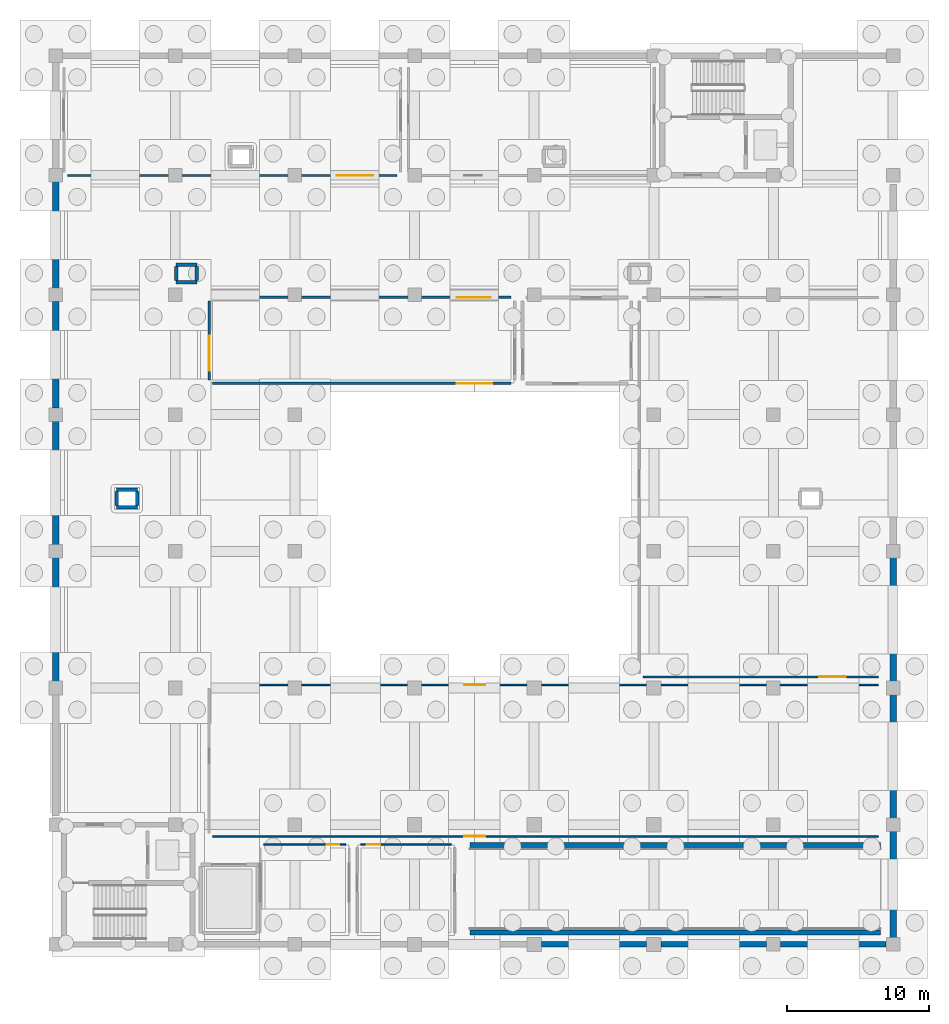
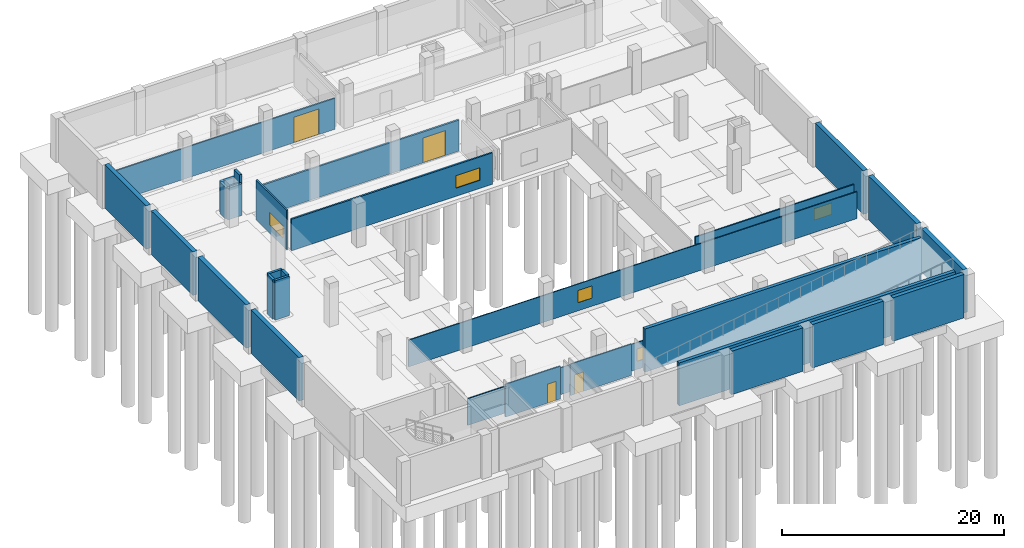
# One storey, part 6 of 12: 29 walls, 5 windows, 4 doors, 9 openings.
"""IFC4 building model written with IfcOpenShell, lengths in metres."""

from ifc_helpers import new_model, si_unit, direction, frame, frame_2d, origin, place, context, subcontext, project, spatial, rectangle, extrude, material, layer, layer_set, type_object, element, fill, save


model = new_model("IFC4")

# Units and contexts
model_context = context("Model", 3, precision=1e-05, world=origin(), true_north=direction((0.0, 1.0)))
body_context = subcontext(model_context, "Body", "Model", "MODEL_VIEW")
ifc_project = project(units=[si_unit("LENGTHUNIT", "METRE"), si_unit("AREAUNIT", "SQUARE_METRE"), si_unit("VOLUMEUNIT", "CUBIC_METRE"), si_unit("PLANEANGLEUNIT", "RADIAN"), si_unit("MASSUNIT", "GRAM", prefix="KILO")], contexts=[model_context])

# Site, building, storey
site_placement = place(None, origin())
site = spatial("IfcSite", under=ifc_project, at=site_placement, CompositionType="ELEMENT")
building_placement = place(site_placement, origin())
building = spatial("IfcBuilding", under=site, at=building_placement, Name="Zulmaris Art Gallery", CompositionType="ELEMENT")
storey_placement = place(building_placement, frame((0.0, 0.0, -4.800048828125)))
storey = spatial("IfcBuildingStorey", under=building, at=storey_placement, Name="B1", CompositionType="ELEMENT", Elevation=-4.800048828125)

# Wall, opening, window
ifc_material_1 = material(Name="Acoustic Office Gypsum Partition", Category="gypsum")
ifc_layer_1 = layer(ifc_material_1, 0.10009765625)
ifc_layer_set_1 = layer_set([ifc_layer_1], Name="Acoustic Office Gypsum Partition")
wall_type_1 = type_object("IfcWallType", Name="IWALL-PW01", PredefinedType="PARTITIONING", material=ifc_layer_set_1)
wall_1_placement = place(storey_placement, frame((152.6298828125, 20.780029296875, 0.0), z_axis=(0.0, 0.0, 1.0), x_axis=(1.0, 0.0, 0.0)))
wall_1 = element("IfcWall", 1, at=wall_1_placement, inside=storey, type_object=wall_type_1, Name="Basement Car Park Circulation & Stalls S partition", PredefinedType="PARTITIONING", context=body_context, shape_type="SweptSolid", body=[
    extrude(rectangle(XDim=46.740234375, YDim=0.10009765625, at=frame_2d((23.3701171875, 0.0))), origin(), (0.0, 0.0, 1.0), 2.9599609375),
])
opening_1_placement = place(wall_1_placement, frame((17.64990234375, 0.0, 0.89990234375)))
opening_1 = element("IfcOpeningElement", 2, at=opening_1_placement, cuts=wall_1, Name="Opening IW01", PredefinedType="OPENING", context=body_context, shape_type="SweptSolid", body=[
    extrude(rectangle(XDim=1.47998046875, YDim=1.35009765625, at=frame_2d((0.739990234375, 0.675048828125))), frame((0.0, 0.06005859375, 0.0), z_axis=(0.0, -1.0, 0.0), x_axis=(1.0, 0.0, 0.0)), (0.0, 0.0, 1.0), 0.1201171875),
])
ifc_material_2 = material(Name="Conservation Studio Viewing Window", Category="glass")
window_type_1 = type_object("IfcWindowType", Name="IWIN-IW01", PartitioningType="SINGLE_PANEL", PredefinedType="WINDOW", material=ifc_material_2)
window_1_placement = place(opening_1_placement, origin())
window_1 = element("IfcWindow", 3, at=window_1_placement, inside=storey, type_object=window_type_1, Name="B1 interior observation window IW01", OverallHeight=1.35009765625, OverallWidth=1.47998046875, PartitioningType="SINGLE_PANEL", PredefinedType="WINDOW", context=body_context, shape_type="SweptSolid", body=[
    extrude(rectangle(XDim=1.47998046875, YDim=1.35009765625, at=frame_2d((0.739990234375, 0.675048828125))), frame((0.0, 0.030029296875, 0.0), z_axis=(0.0, -1.0, 0.0), x_axis=(1.0, 0.0, 0.0)), (0.0, 0.0, 1.0), 0.06005859375),
])
fill(opening_1, window_1)

wall_2_placement = place(storey_placement, frame((152.6298828125, 31.419921875, 0.0), z_axis=(0.0, 0.0, 1.0), x_axis=(1.0, 0.0, 0.0)))
wall_2 = element("IfcWall", 4, at=wall_2_placement, inside=storey, type_object=wall_type_1, Name="Basement Car Park Circulation & Stalls N partition", PredefinedType="PARTITIONING", context=body_context, shape_type="SweptSolid", body=[
    extrude(rectangle(XDim=46.740234375, YDim=0.10009765625, at=frame_2d((23.3701171875, 0.0))), origin(), (0.0, 0.0, 1.0), 2.9599609375),
])
opening_2_placement = place(wall_2_placement, frame((17.64990234375, 0.0, 0.89990234375)))
opening_2 = element("IfcOpeningElement", 5, at=opening_2_placement, cuts=wall_2, Name="Opening IW01", PredefinedType="OPENING", context=body_context, shape_type="SweptSolid", body=[
    extrude(rectangle(XDim=1.47998046875, YDim=1.35009765625, at=frame_2d((0.739990234375, 0.675048828125))), frame((0.0, 0.06005859375, 0.0), z_axis=(0.0, -1.0, 0.0), x_axis=(1.0, 0.0, 0.0)), (0.0, 0.0, 1.0), 0.1201171875),
])
window_2_placement = place(opening_2_placement, origin())
window_2 = element("IfcWindow", 6, at=window_2_placement, inside=storey, type_object=window_type_1, Name="B1 interior observation window IW01", OverallHeight=1.35009765625, OverallWidth=1.47998046875, PartitioningType="SINGLE_PANEL", PredefinedType="WINDOW", context=body_context, shape_type="SweptSolid", body=[
    extrude(rectangle(XDim=1.47998046875, YDim=1.35009765625, at=frame_2d((0.739990234375, 0.675048828125))), frame((0.0, 0.030029296875, 0.0), z_axis=(0.0, -1.0, 0.0), x_axis=(1.0, 0.0, 0.0)), (0.0, 0.0, 1.0), 0.06005859375),
])
fill(opening_2, window_2)

# Wall, opening, door
ifc_material_3 = material(Name="Moisture-Resistant Tile-Backer Wet Wall", Category="gypsum")
ifc_layer_2 = layer(ifc_material_3, 0.114990234375)
ifc_layer_set_2 = layer_set([ifc_layer_2], Name="Moisture-Resistant Tile-Backer Wet Wall")
wall_type_2 = type_object("IfcWallType", Name="IWALL-PW02", PredefinedType="PARTITIONING", material=ifc_layer_set_2)
wall_3_placement = place(storey_placement, frame((156.22998046875, 20.219970703125, 0.0), z_axis=(0.0, 0.0, 1.0), x_axis=(1.0, 0.0, 0.0)))
wall_3 = element("IfcWall", 7, at=wall_3_placement, inside=storey, type_object=wall_type_2, Name="Basement Staff WC N partition", PredefinedType="PARTITIONING", context=body_context, shape_type="SweptSolid", body=[
    extrude(rectangle(XDim=5.739990234375, YDim=0.114990234375, at=frame_2d((2.8701171875, 0.0))), origin(), (0.0, 0.0, 1.0), 3.614990234375),
])
opening_3_placement = place(wall_3_placement, frame((4.39990234375, 0.0, 0.0)))
opening_3 = element("IfcOpeningElement", 8, at=opening_3_placement, cuts=wall_3, Name="Opening D01", PredefinedType="OPENING", context=body_context, shape_type="SweptSolid", body=[
    extrude(rectangle(XDim=0.89990234375, YDim=2.10009765625, at=frame_2d((0.449951171875, 1.050048828125))), frame((0.0, 0.0673828125, 0.0), z_axis=(0.0, -1.0, 0.0), x_axis=(1.0, 0.0, 0.0)), (0.0, 0.0, 1.0), 0.135009765625),
])
ifc_material_4 = material(Name="Moisture-Resistant WC Door", Category="timber")
door_type_1 = type_object("IfcDoorType", Name="IDOOR-D01", OperationType="NOTDEFINED", PredefinedType="DOOR", material=ifc_material_4)
door_1_placement = place(opening_3_placement, origin())
door_1 = element("IfcDoor", 9, at=door_1_placement, inside=storey, type_object=door_type_1, Name="Basement Staff WC Door", OperationType="SINGLE_SWING_LEFT", OverallHeight=2.10009765625, OverallWidth=0.89990234375, PredefinedType="DOOR", context=body_context, shape_type="SweptSolid", body=[
    extrude(rectangle(XDim=0.89990234375, YDim=2.10009765625, at=frame_2d((0.449951171875, 1.050048828125))), frame((0.0, 0.02490234375, 0.0), z_axis=(0.0, -1.0, 0.0), x_axis=(1.0, 0.0, 0.0)), (0.0, 0.0, 1.0), 0.050048828125),
])
fill(opening_3, door_1)

wall_4_placement = place(storey_placement, frame((163.030029296875, 20.219970703125, 0.0), z_axis=(0.0, 0.0, 1.0), x_axis=(1.0, 0.0, 0.0)))
wall_4 = element("IfcWall", 10, at=wall_4_placement, inside=storey, type_object=wall_type_2, Name="Basement Accessible WC N partition", PredefinedType="PARTITIONING", context=body_context, shape_type="SweptSolid", body=[
    extrude(rectangle(XDim=6.340087890625, YDim=0.114990234375, at=frame_2d((3.169921875, 0.0))), origin(), (0.0, 0.0, 1.0), 3.4599609375),
])
opening_4_placement = place(wall_4_placement, frame((0.39990234375, 0.0, 0.0)))
opening_4 = element("IfcOpeningElement", 11, at=opening_4_placement, cuts=wall_4, Name="Opening D02", PredefinedType="OPENING", context=body_context, shape_type="SweptSolid", body=[
    extrude(rectangle(XDim=0.9599609375, YDim=2.139892578125, at=frame_2d((0.47998046875, 1.06982421875))), frame((0.0, 0.0673828125, 0.0), z_axis=(0.0, -1.0, 0.0), x_axis=(1.0, 0.0, 0.0)), (0.0, 0.0, 1.0), 0.135009765625),
])
ifc_material_5 = material(Name="Accessible WC Outward-Opening Door", Category="timber")
door_type_2 = type_object("IfcDoorType", Name="IDOOR-D02", OperationType="NOTDEFINED", PredefinedType="DOOR", material=ifc_material_5)
door_2_placement = place(opening_4_placement, origin())
door_2 = element("IfcDoor", 12, at=door_2_placement, inside=storey, type_object=door_type_2, Name="Basement Accessible WC Door", OperationType="SINGLE_SWING_RIGHT", OverallHeight=2.139892578125, OverallWidth=0.9599609375, PredefinedType="DOOR", context=body_context, shape_type="SweptSolid", body=[
    extrude(rectangle(XDim=0.9599609375, YDim=2.139892578125, at=frame_2d((0.47998046875, 1.06982421875))), frame((0.0, 0.02490234375, 0.0), z_axis=(0.0, -1.0, 0.0), x_axis=(1.0, 0.0, 0.0)), (0.0, 0.0, 1.0), 0.050048828125),
])
fill(opening_4, door_2)

# Wall, opening, window
ifc_material_6 = material(Name="Light Gallery Backing Partition", Category="gypsum")
ifc_layer_3 = layer(ifc_material_6, 0.1298828125)
ifc_layer_set_3 = layer_set([ifc_layer_3], Name="Light Gallery Backing Partition")
wall_type_3 = type_object("IfcWallType", Name="IWALL-PW03", PredefinedType="PARTITIONING", material=ifc_layer_set_3)
wall_5_placement = place(storey_placement, frame((182.830078125, 31.97998046875, 0.0), z_axis=(0.0, 0.0, 1.0), x_axis=(1.0, 0.0, 0.0)))
wall_5 = element("IfcWall", 13, at=wall_5_placement, inside=storey, type_object=wall_type_3, Name="East Car Park Loop & Ramp Arrival S partition", PredefinedType="PARTITIONING", context=body_context, shape_type="SweptSolid", body=[
    extrude(rectangle(XDim=16.5400390625, YDim=0.1298828125, at=frame_2d((8.27001953125, 0.0))), origin(), (0.0, 0.0, 1.0), 3.41015625),
])
opening_5_placement = place(wall_5_placement, frame((12.39990234375, 0.0, 0.89990234375)))
opening_5 = element("IfcOpeningElement", 14, at=opening_5_placement, cuts=wall_5, Name="Opening IW02", PredefinedType="OPENING", context=body_context, shape_type="SweptSolid", body=[
    extrude(rectangle(XDim=1.860107421875, YDim=1.280029296875, at=frame_2d((0.93017578125, 0.64013671875))), frame((0.0, 0.074951171875, 0.0), z_axis=(0.0, -1.0, 0.0), x_axis=(1.0, 0.0, 0.0)), (0.0, 0.0, 1.0), 0.14990234375),
])
ifc_material_7 = material(Name="Auditorium Booth Acoustic Window", Category="glass")
window_type_2 = type_object("IfcWindowType", Name="IWIN-IW02", PartitioningType="SINGLE_PANEL", PredefinedType="WINDOW", material=ifc_material_7)
window_3_placement = place(opening_5_placement, origin())
window_3 = element("IfcWindow", 15, at=window_3_placement, inside=storey, type_object=window_type_2, Name="B1 interior observation window IW02", OverallHeight=1.280029296875, OverallWidth=1.860107421875, PartitioningType="SINGLE_PANEL", PredefinedType="WINDOW", context=body_context, shape_type="SweptSolid", body=[
    extrude(rectangle(XDim=1.860107421875, YDim=1.280029296875, at=frame_2d((0.93017578125, 0.64013671875))), frame((0.0, 0.030029296875, 0.0), z_axis=(0.0, -1.0, 0.0), x_axis=(1.0, 0.0, 0.0)), (0.0, 0.0, 1.0), 0.06005859375),
])
fill(opening_5, window_3)

# Wall, opening, door
ifc_material_8 = material(Name="Plywood-Backed Gallery Hanging Partition", Category="wood")
ifc_layer_4 = layer(ifc_material_8, 0.14501953125)
ifc_layer_set_4 = layer_set([ifc_layer_4], Name="Plywood-Backed Gallery Hanging Partition")
wall_type_4 = type_object("IfcWallType", Name="IWALL-PW04", PredefinedType="PARTITIONING", material=ifc_layer_set_4)
wall_6_placement = place(storey_placement, frame((142.429931640625, 67.179931640625, 0.0), z_axis=(0.0, 0.0, 1.0), x_axis=(1.0, 0.0, 0.0)))
wall_6 = element("IfcWall", 16, at=wall_6_placement, inside=storey, type_object=wall_type_4, Name="Climate-Controlled Art Store 1 S partition", PredefinedType="PARTITIONING", context=body_context, shape_type="SweptSolid", body=[
    extrude(rectangle(XDim=23.14013671875, YDim=0.14501953125, at=frame_2d((11.570068359375, 0.0))), origin(), (0.0, 0.0, 1.0), 3.41015625),
])
opening_6_placement = place(wall_6_placement, frame((18.89990234375, 0.0, 0.0)))
opening_6 = element("IfcOpeningElement", 17, at=opening_6_placement, cuts=wall_6, Name="Opening VG02", PredefinedType="OPENING", context=body_context, shape_type="SweptSolid", body=[
    extrude(rectangle(XDim=2.580078125, YDim=2.820068359375, at=frame_2d((1.2900390625, 1.41015625))), frame((0.0, 0.08251953125, 0.0), z_axis=(0.0, -1.0, 0.0), x_axis=(1.0, 0.0, 0.0)), (0.0, 0.0, 1.0), 0.1650390625),
])
ifc_material_9 = material(Name="Sculpture Vault Heavy Security Gate B", Category="steel")
door_type_3 = type_object("IfcDoorType", Name="IDOOR-VG02", OperationType="DOUBLE_SWING_RIGHT", PredefinedType="GATE", material=ifc_material_9)
door_3_placement = place(opening_6_placement, origin())
door_3 = element("IfcDoor", 18, at=door_3_placement, inside=storey, type_object=door_type_3, Name="Climate-Controlled Art Store 1 Door", OperationType="DOUBLE_SWING_RIGHT", OverallHeight=2.820068359375, OverallWidth=2.580078125, PredefinedType="GATE", context=body_context, shape_type="SweptSolid", body=[
    extrude(rectangle(XDim=2.580078125, YDim=2.820068359375, at=frame_2d((1.2900390625, 1.41015625))), frame((0.0, 0.02490234375, 0.0), z_axis=(0.0, -1.0, 0.0), x_axis=(1.0, 0.0, 0.0)), (0.0, 0.0, 1.0), 0.050048828125),
])
fill(opening_6, door_3)

ifc_material_10 = material(Name="Acoustic Studio Separation Partition", Category="gypsum")
ifc_layer_5 = layer(ifc_material_10, 0.175048828125)
ifc_layer_set_5 = layer_set([ifc_layer_5], Name="Acoustic Studio Separation Partition")
wall_type_5 = type_object("IfcWallType", Name="IWALL-PW06", PredefinedType="PARTITIONING", material=ifc_layer_set_5)
wall_7_placement = place(storey_placement, frame((152.6298828125, 58.6201171875, 0.0), z_axis=(0.0, 0.0, 1.0), x_axis=(1.0, 0.0, 0.0)))
wall_7 = element("IfcWall", 19, at=wall_7_placement, inside=storey, type_object=wall_type_5, Name="Sculpture Crate Art Store N partition", PredefinedType="PARTITIONING", context=body_context, shape_type="SweptSolid", body=[
    extrude(rectangle(XDim=20.940185546875, YDim=0.175048828125, at=frame_2d((10.47021484375, 0.0))), origin(), (0.0, 0.0, 1.0), 3.41015625),
])
opening_7_placement = place(wall_7_placement, frame((17.14990234375, 0.0, 0.0)))
opening_7 = element("IfcOpeningElement", 20, at=opening_7_placement, cuts=wall_7, Name="Opening VG01", PredefinedType="OPENING", context=body_context, shape_type="SweptSolid", body=[
    extrude(rectangle(XDim=2.3798828125, YDim=2.739990234375, at=frame_2d((1.18994140625, 1.3701171875))), frame((0.0, 0.097412109375, 0.0), z_axis=(0.0, -1.0, 0.0), x_axis=(1.0, 0.0, 0.0)), (0.0, 0.0, 1.0), 0.195068359375),
])
ifc_material_11 = material(Name="Climate Art Vault Vapor-Sealed Gate A", Category="steel")
door_type_4 = type_object("IfcDoorType", Name="IDOOR-VG01", OperationType="DOUBLE_SWING_LEFT", PredefinedType="GATE", material=ifc_material_11)
door_4_placement = place(opening_7_placement, origin())
door_4 = element("IfcDoor", 21, at=door_4_placement, inside=storey, type_object=door_type_4, Name="Sculpture Crate Art Store Door", OperationType="DOUBLE_SWING_LEFT", OverallHeight=2.739990234375, OverallWidth=2.3798828125, PredefinedType="GATE", context=body_context, shape_type="SweptSolid", body=[
    extrude(rectangle(XDim=2.3798828125, YDim=2.739990234375, at=frame_2d((1.18994140625, 1.3701171875))), frame((0.0, 0.02490234375, 0.0), z_axis=(0.0, -1.0, 0.0), x_axis=(1.0, 0.0, 0.0)), (0.0, 0.0, 1.0), 0.050048828125),
])
fill(opening_7, door_4)

# Wall, opening, window
wall_8_placement = place(storey_placement, frame((152.6298828125, 52.580078125, 0.0), z_axis=(0.0, 0.0, 1.0), x_axis=(1.0, 0.0, 0.0)))
wall_8 = element("IfcWall", 22, at=wall_8_placement, inside=storey, type_object=wall_type_5, Name="Sculpture Crate Art Store S partition", PredefinedType="PARTITIONING", context=body_context, shape_type="SweptSolid", body=[
    extrude(rectangle(XDim=20.940185546875, YDim=0.175048828125, at=frame_2d((10.47021484375, 0.0))), origin(), (0.0, 0.0, 1.0), 3.465087890625),
])
opening_8_placement = place(wall_8_placement, frame((17.14990234375, 0.0, 0.89990234375)))
opening_8 = element("IfcOpeningElement", 23, at=opening_8_placement, cuts=wall_8, Name="Opening IW05", PredefinedType="OPENING", context=body_context, shape_type="SweptSolid", body=[
    extrude(rectangle(XDim=2.4599609375, YDim=1.3798828125, at=frame_2d((1.22998046875, 0.68994140625))), frame((0.0, 0.097412109375, 0.0), z_axis=(0.0, -1.0, 0.0), x_axis=(1.0, 0.0, 0.0)), (0.0, 0.0, 1.0), 0.195068359375),
])
ifc_material_12 = material(Name="Workshop Safety Observation Window", Category="glass")
window_type_3 = type_object("IfcWindowType", Name="IWIN-IW05", PartitioningType="SINGLE_PANEL", PredefinedType="WINDOW", material=ifc_material_12)
window_4_placement = place(opening_8_placement, origin())
window_4 = element("IfcWindow", 24, at=window_4_placement, inside=storey, type_object=window_type_3, Name="B1 interior observation window IW05", OverallHeight=1.3798828125, OverallWidth=2.4599609375, PartitioningType="SINGLE_PANEL", PredefinedType="WINDOW", context=body_context, shape_type="SweptSolid", body=[
    extrude(rectangle(XDim=2.4599609375, YDim=1.3798828125, at=frame_2d((1.22998046875, 0.68994140625))), frame((0.0, 0.030029296875, 0.0), z_axis=(0.0, -1.0, 0.0), x_axis=(1.0, 0.0, 0.0)), (0.0, 0.0, 1.0), 0.06005859375),
])
fill(opening_8, window_4)

wall_9_placement = place(storey_placement, frame((152.3798828125, 52.830078125, 0.0), z_axis=(0.0, 0.0, 1.0), x_axis=(0.0, 1.0, 0.0)))
wall_9 = element("IfcWall", 25, at=wall_9_placement, inside=storey, type_object=wall_type_5, Name="Sculpture Crate Art Store W partition", PredefinedType="PARTITIONING", context=body_context, shape_type="SweptSolid", body=[
    extrude(rectangle(XDim=5.5400390625, YDim=0.175048828125, at=frame_2d((2.77001953125, 0.0))), origin(), (0.0, 0.0, 1.0), 4.360107421875),
])
opening_9_placement = place(wall_9_placement, frame((0.64990234375, 0.0, 0.89990234375)))
opening_9 = element("IfcOpeningElement", 26, at=opening_9_placement, cuts=wall_9, Name="Opening IW05", PredefinedType="OPENING", context=body_context, shape_type="SweptSolid", body=[
    extrude(rectangle(XDim=2.4599609375, YDim=1.3798828125, at=frame_2d((1.22998046875, 0.68994140625))), frame((0.0, 0.097412109375, 0.0), z_axis=(0.0, -1.0, 0.0), x_axis=(1.0, 0.0, 0.0)), (0.0, 0.0, 1.0), 0.195068359375),
])
window_5_placement = place(opening_9_placement, origin())
window_5 = element("IfcWindow", 27, at=window_5_placement, inside=storey, type_object=window_type_3, Name="B1 interior observation window IW05", OverallHeight=1.3798828125, OverallWidth=2.4599609375, PartitioningType="SINGLE_PANEL", PredefinedType="WINDOW", context=body_context, shape_type="SweptSolid", body=[
    extrude(rectangle(XDim=2.4599609375, YDim=1.3798828125, at=frame_2d((1.22998046875, 0.68994140625))), frame((0.0, 0.030029296875, 0.0), z_axis=(0.0, -1.0, 0.0), x_axis=(1.0, 0.0, 0.0)), (0.0, 0.0, 1.0), 0.06005859375),
])
fill(opening_9, window_5)

# Walls
ifc_material_13 = material(Name="MEP Riser & Smoke Shaft Enclosure Wall", Category="masonry")
ifc_layer_6 = layer(ifc_material_13, 0.2548828125)
ifc_layer_set_6 = layer_set([ifc_layer_6], Name="MEP Riser & Smoke Shaft Enclosure Wall")
wall_type_6 = type_object("IfcWallType", Name="IWALL-PW11", PredefinedType="PARTITIONING", material=ifc_layer_set_6)
for number, where, z_axis, x_axis, name in (
    (28, (150.06005859375, 60.919921875, 0.0), (0.0, 0.0, 1.0), (1.0, 0.0, 0.0), "B1 MEP Riser 13 N wall"),
    (29, (150.06005859375, 59.679931640625, 0.0), (0.0, 0.0, 1.0), (1.0, 0.0, 0.0), "B1 MEP Riser 13 S wall"),
):
    element("IfcWall", number, at=place(storey_placement, frame(where, z_axis=z_axis, x_axis=x_axis)), inside=storey, type_object=wall_type_6, Name=name, PredefinedType="PARTITIONING", context=body_context, shape_type="SweptSolid", body=[
        extrude(rectangle(XDim=1.47998046875, YDim=0.2548828125, at=frame_2d((0.739990234375, 0.0))), origin(), (0.0, 0.0, 1.0), 3.465087890625),
    ])
wall_10_placement = place(storey_placement, frame((150.080078125, 59.800048828125, 0.0), z_axis=(0.0, 0.0, 1.0), x_axis=(0.0, 1.0, 0.0)))
element("IfcWall", 30, at=wall_10_placement, inside=storey, type_object=wall_type_6, Name="B1 MEP Riser 13 W wall", PredefinedType="PARTITIONING", context=body_context, shape_type="SweptSolid", body=[
    extrude(rectangle(XDim=1.0, YDim=0.2548828125, at=frame_2d((0.5, 0.0))), origin(), (0.0, 0.0, 1.0), 3.465087890625),
])
wall_11_placement = place(storey_placement, frame((151.52001953125, 59.800048828125, 0.0), z_axis=(0.0, 0.0, 1.0), x_axis=(0.0, 1.0, 0.0)))
element("IfcWall", 31, at=wall_11_placement, inside=storey, type_object=wall_type_6, Name="B1 MEP Riser 13 E wall", PredefinedType="PARTITIONING", context=body_context, shape_type="SweptSolid", body=[
    extrude(rectangle(XDim=1.0, YDim=0.2548828125, at=frame_2d((0.5, 0.0))), origin(), (0.0, 0.0, 1.0), 4.360107421875),
])
for number, where, z_axis, x_axis, name in (
    (32, (145.860107421875, 45.1201171875, 0.0), (0.0, 0.0, 1.0), (1.0, 0.0, 0.0), "B1 MEP Riser 17 N wall"),
    (33, (145.860107421875, 43.8798828125, 0.0), (0.0, 0.0, 1.0), (1.0, 0.0, 0.0), "B1 MEP Riser 17 S wall"),
):
    element("IfcWall", number, at=place(storey_placement, frame(where, z_axis=z_axis, x_axis=x_axis)), inside=storey, type_object=wall_type_6, Name=name, PredefinedType="PARTITIONING", context=body_context, shape_type="SweptSolid", body=[
        extrude(rectangle(XDim=1.47998046875, YDim=0.2548828125, at=frame_2d((0.739990234375, 0.0))), origin(), (0.0, 0.0, 1.0), 4.360107421875),
    ])
for number, where, z_axis, x_axis, name in (
    (34, (145.8798828125, 44.0, 0.0), (0.0, 0.0, 1.0), (0.0, 1.0, 0.0), "B1 MEP Riser 17 W wall"),
    (35, (147.320068359375, 44.0, 0.0), (0.0, 0.0, 1.0), (0.0, 1.0, 0.0), "B1 MEP Riser 17 E wall"),
):
    element("IfcWall", number, at=place(storey_placement, frame(where, z_axis=z_axis, x_axis=x_axis)), inside=storey, type_object=wall_type_6, Name=name, PredefinedType="PARTITIONING", context=body_context, shape_type="SweptSolid", body=[
        extrude(rectangle(XDim=1.0, YDim=0.2548828125, at=frame_2d((0.5, 0.0))), origin(), (0.0, 0.0, 1.0), 4.360107421875),
    ])
ifc_material_14 = material(Name="Concrete C40/50", Category="concrete")
ifc_layer_7 = layer(ifc_material_14, 0.39990234375)
ifc_layer_set_7 = layer_set([ifc_layer_7], Name="Concrete C40/50")
wall_type_7 = type_object("IfcWallType", Name="STR-WALL-RW01", PredefinedType="USERDEFINED", material=ifc_layer_set_7)
wall_12_placement = place(storey_placement, frame((175.699951171875, 13.199951171875, 0.0), z_axis=(0.0, 0.0, 1.0), x_axis=(1.0, 0.0, 0.0)))
element("IfcWall", 36, at=wall_12_placement, inside=storey, type_object=wall_type_7, Name="B1 South retaining wall bay 4", ObjectType="RETAINING WALL", PredefinedType="USERDEFINED", context=body_context, shape_type="SweptSolid", body=[
    extrude(rectangle(XDim=7.400146484375, YDim=0.39990234375, at=frame_2d((3.7001953125, 0.0))), origin(), (0.0, 0.0, 1.0), 4.800048828125),
])
for number, where, z_axis, x_axis, name in (
    (37, (184.10009765625, 13.199951171875, 0.0), (0.0, 0.0, 1.0), (1.0, 0.0, 0.0), "B1 South retaining wall bay 5"),
    (38, (192.5, 13.199951171875, 0.0), (0.0, 0.0, 1.0), (1.0, 0.0, 0.0), "B1 South retaining wall bay 6"),
):
    element("IfcWall", number, at=place(storey_placement, frame(where, z_axis=z_axis, x_axis=x_axis)), inside=storey, type_object=wall_type_7, Name=name, ObjectType="RETAINING WALL", PredefinedType="USERDEFINED", context=body_context, shape_type="SweptSolid", body=[
        extrude(rectangle(XDim=7.39990234375, YDim=0.39990234375, at=frame_2d((3.699951171875, 0.0))), origin(), (0.0, 0.0, 1.0), 4.800048828125),
    ])
ifc_layer_8 = layer(ifc_material_14, 0.449951171875)
ifc_layer_set_8 = layer_set([ifc_layer_8], Name="Concrete C40/50")
wall_type_8 = type_object("IfcWallType", Name="STR-WALL-RW02", PredefinedType="USERDEFINED", material=ifc_layer_set_8)
wall_13_placement = place(storey_placement, frame((141.60009765625, 31.64990234375, 0.0), z_axis=(0.0, 0.0, 1.0), x_axis=(0.0, 1.0, 0.0)))
element("IfcWall", 39, at=wall_13_placement, inside=storey, type_object=wall_type_8, Name="B1 West retaining wall y=31.2", ObjectType="RETAINING WALL", PredefinedType="USERDEFINED", context=body_context, shape_type="SweptSolid", body=[
    extrude(rectangle(XDim=8.7001953125, YDim=0.449951171875, at=frame_2d((4.35009765625, 0.0))), origin(), (0.0, 0.0, 1.0), 4.800048828125),
])
wall_14_placement = place(storey_placement, frame((141.60009765625, 41.25, 0.0), z_axis=(0.0, 0.0, 1.0), x_axis=(0.0, 1.0, 0.0)))
element("IfcWall", 40, at=wall_14_placement, inside=storey, type_object=wall_type_8, Name="B1 West retaining wall y=40.8", ObjectType="RETAINING WALL", PredefinedType="USERDEFINED", context=body_context, shape_type="SweptSolid", body=[
    extrude(rectangle(XDim=8.699951171875, YDim=0.449951171875, at=frame_2d((4.35009765625, 0.0))), origin(), (0.0, 0.0, 1.0), 4.800048828125),
])
for number, where, z_axis, x_axis, name in (
    (41, (141.60009765625, 50.85009765625, 0.0), (0.0, 0.0, 1.0), (0.0, 1.0, 0.0), "B1 West retaining wall y=50.4"),
    (42, (141.60009765625, 59.25, 0.0), (0.0, 0.0, 1.0), (0.0, 1.0, 0.0), "B1 West retaining wall y=58.8"),
    (43, (200.39990234375, 13.64990234375, 0.0), (0.0, 0.0, 1.0), (0.0, 1.0, 0.0), "B1 East retaining wall y=13.2"),
):
    element("IfcWall", number, at=place(storey_placement, frame(where, z_axis=z_axis, x_axis=x_axis)), inside=storey, type_object=wall_type_8, Name=name, ObjectType="RETAINING WALL", PredefinedType="USERDEFINED", context=body_context, shape_type="SweptSolid", body=[
        extrude(rectangle(XDim=7.5, YDim=0.449951171875, at=frame_2d((3.75, 0.0))), origin(), (0.0, 0.0, 1.0), 4.800048828125),
    ])
wall_15_placement = place(storey_placement, frame((200.39990234375, 22.050048828125, 0.0), z_axis=(0.0, 0.0, 1.0), x_axis=(0.0, 1.0, 0.0)))
element("IfcWall", 44, at=wall_15_placement, inside=storey, type_object=wall_type_8, Name="B1 East retaining wall y=21.6", ObjectType="RETAINING WALL", PredefinedType="USERDEFINED", context=body_context, shape_type="SweptSolid", body=[
    extrude(rectangle(XDim=8.699951171875, YDim=0.449951171875, at=frame_2d((4.35009765625, 0.0))), origin(), (0.0, 0.0, 1.0), 4.800048828125),
])
wall_16_placement = place(storey_placement, frame((200.39990234375, 31.64990234375, 0.0), z_axis=(0.0, 0.0, 1.0), x_axis=(0.0, 1.0, 0.0)))
element("IfcWall", 45, at=wall_16_placement, inside=storey, type_object=wall_type_8, Name="B1 East retaining wall y=31.2", ObjectType="RETAINING WALL", PredefinedType="USERDEFINED", context=body_context, shape_type="SweptSolid", body=[
    extrude(rectangle(XDim=8.7001953125, YDim=0.449951171875, at=frame_2d((4.35009765625, 0.0))), origin(), (0.0, 0.0, 1.0), 4.800048828125),
])
ifc_material_15 = material(Name="Concrete C50/60", Category="concrete")
ifc_layer_9 = layer(ifc_material_15, 0.35009765625)
ifc_layer_set_9 = layer_set([ifc_layer_9], Name="Concrete C50/60")
wall_type_9 = type_object("IfcWallType", Name="STR-WALL-SW01", PredefinedType="SHEAR", material=ifc_layer_set_9)
for number, where, z_axis, x_axis, name in (
    (46, (170.699951171875, 14.02001953125, 0.0), (0.0, 0.0, 1.0), (1.0, 0.0, 0.0), "B1 Structural Vehicle Ramp Bearing Wall S"),
    (47, (170.699951171875, 20.179931640625, 0.0), (0.0, 0.0, 1.0), (1.0, 0.0, 0.0), "B1 Structural Vehicle Ramp Bearing Wall N"),
):
    element("IfcWall", number, at=place(storey_placement, frame(where, z_axis=z_axis, x_axis=x_axis)), inside=storey, type_object=wall_type_9, Name=name, PredefinedType="SHEAR", context=body_context, shape_type="SweptSolid", body=[
        extrude(rectangle(XDim=28.800048828125, YDim=0.35009765625, at=frame_2d((14.39990234375, 0.0))), origin(), (0.0, 0.0, 1.0), 4.739990234375),
    ])

save(model, "model.ifc")
